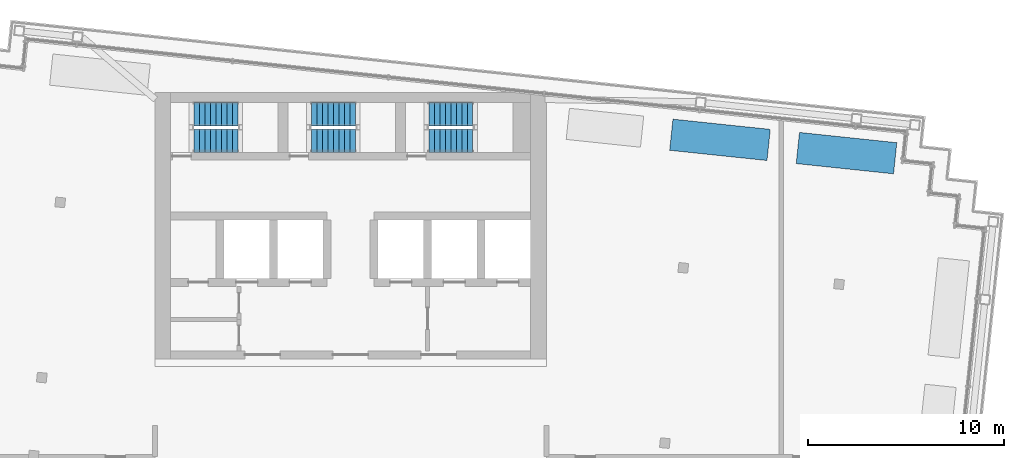
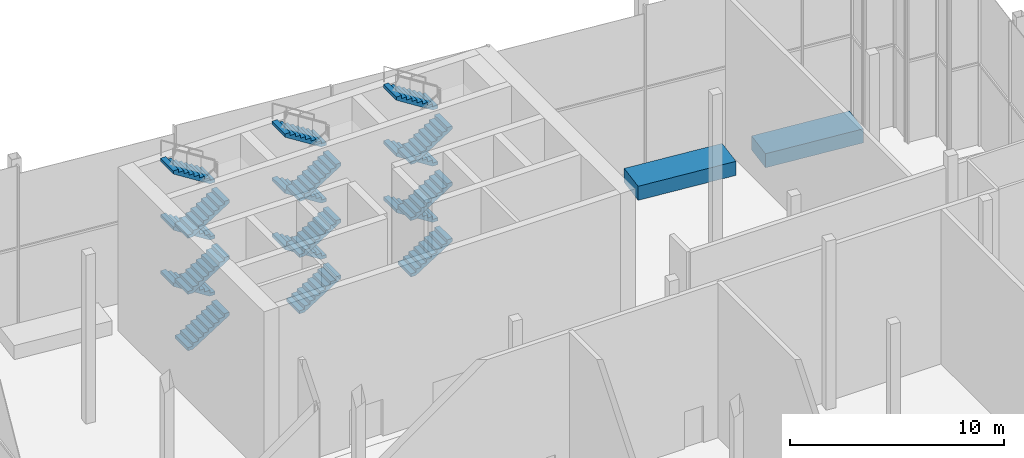
# One storey, part 10 of 14: 18 stair flights, 2 walls, 3 elements without a shape of their own.
"""IFC4 building model written with IfcOpenShell, lengths in metres."""

from ifc_helpers import new_model, si_unit, direction, frame, frame_2d, origin, place, context, subcontext, project, spatial, polyline, rectangle, outline, extrude, material, layer, layer_set, type_object, element, aggregate, save


model = new_model("IFC4")

# Units and contexts
model_context = context("Model", 3, precision=1e-05, world=origin(), true_north=direction((0.0, 1.0)))
body_context = subcontext(model_context, "Body", "Model", "MODEL_VIEW")
ifc_project = project(units=[si_unit("LENGTHUNIT", "METRE"), si_unit("AREAUNIT", "SQUARE_METRE"), si_unit("VOLUMEUNIT", "CUBIC_METRE"), si_unit("PLANEANGLEUNIT", "RADIAN"), si_unit("MASSUNIT", "GRAM", prefix="KILO")], contexts=[model_context])

# Site, building, storey
site_placement = place(None, origin())
site = spatial("IfcSite", under=ifc_project, at=site_placement, CompositionType="ELEMENT")
building_placement = place(site_placement, origin())
building = spatial("IfcBuilding", under=site, at=building_placement, Name="Vidyagriha Tower", CompositionType="ELEMENT")
storey_placement = place(building_placement, frame((0.0, 0.0, 281.89990234375)))
storey = spatial("IfcBuildingStorey", under=building, at=storey_placement, Name="L74", CompositionType="ELEMENT", Elevation=281.89990234375)

# Walls
ifc_material_1 = material(Name="Precast concrete C40/50 with brick facing", Category="concrete")
ifc_layer = layer(ifc_material_1, 1.60009765625)
ifc_layer_set = layer_set([ifc_layer], Name="Precast concrete C40/50 with brick facing")
wall_type = type_object("IfcWallType", Name="Brick planter box 1600", PredefinedType="STANDARD", material=ifc_layer_set)
for number, where, z_axis, x_axis, name in (
    (1, (27.818115234375, 16.64404296875, 0.0), (0.0, 0.0, 1.0), (-0.994520692635, 0.104539905878, 0.0), "PLANTER L74 1"),
    (2, (21.353759765625, 17.323486328125, 0.0), (0.0, 0.0, 1.0), (-0.994520692635, 0.104539905878, 0.0), "PLANTER L74 2"),
):
    element("IfcWall", number, at=place(storey_placement, frame(where, z_axis=z_axis, x_axis=x_axis)), inside=storey, type_object=wall_type, Name=name, PredefinedType="STANDARD", context=body_context, shape_type="SweptSolid", body=[
        extrude(rectangle(XDim=5.0, YDim=1.60009765625, at=frame_2d((2.5, 0.0))), origin(), (0.0, 0.0, 1.0), 0.800048828125),
    ])

# Stair, stair flights
ifc_material_2 = material(Name="Concrete C40/50", Category="concrete")
stair_type = type_object("IfcStairType", Name="Exit stair, half-turn, precast flights", PredefinedType="HALF_TURN_STAIR", material=ifc_material_2)
stair_1_placement = place(storey_placement, origin())
stair_1 = element("IfcStair", 3, at=stair_1_placement, inside=storey, type_object=stair_type, Name="L74 Exit Stair ST1", PredefinedType="HALF_TURN_STAIR")
ifc_material_3 = material(Name="Precast concrete C40/50", Category="concrete")
stair_flight_type = type_object("IfcStairFlightType", Name="Exit stair flight 1200 mm, precast", PredefinedType="STRAIGHT", material=ifc_material_3)
stair_flight_1_placement = place(storey_placement, frame((-8.0, 17.550048828125, 0.0)))
stair_flight_1 = element("IfcStairFlight", 4, at=stair_flight_1_placement, type_object=stair_flight_type, Name="ST1 flight 1", NumberOfRisers=9, NumberOfTreads=8, PredefinedType="STRAIGHT", RiserHeight=0.177777778, TreadLength=0.28, context=body_context, shape_type="SweptSolid", body=[
    extrude(outline(polyline([(0.0, 0.0), (0.0, 0.177734375), (0.280029296875, 0.177734375), (0.280029296875, 0.35546875), (0.56005859375, 0.35546875), (0.56005859375, 0.533447265625), (0.840087890625, 0.533447265625), (0.840087890625, 0.711181640625), (1.1201171875, 0.711181640625), (1.1201171875, 0.888916015625), (1.39990234375, 0.888916015625), (1.39990234375, 1.066650390625), (1.679931640625, 1.066650390625), (1.679931640625, 1.244384765625), (1.9599609375, 1.244384765625), (1.9599609375, 1.422119140625), (2.239990234375, 1.422119140625), (2.239990234375, 1.60009765625), (2.239990234375, 1.24462890625), (0.27978515625, 0.0), (0.0, 0.0)])), frame((0.0, 0.60009765625, 0.0), z_axis=(0.0, -1.0, 0.0), x_axis=(1.0, 0.0, 0.0)), (0.0, 0.0, 1.0), 1.199951171875),
])
stair_flight_2_placement = place(storey_placement, frame((-5.760009765625, 18.89990234375, 1.60009765625), z_axis=(0.0, 0.0, 1.0), x_axis=(-1.0, 0.0, 0.0)))
stair_flight_2 = element("IfcStairFlight", 5, at=stair_flight_2_placement, type_object=stair_flight_type, Name="ST1 flight 2", NumberOfRisers=9, NumberOfTreads=8, PredefinedType="STRAIGHT", RiserHeight=0.177777778, TreadLength=0.28, context=body_context, shape_type="SweptSolid", body=[
    extrude(outline(polyline([(0.0, 0.0), (0.0, 0.177734375), (0.280029296875, 0.177734375), (0.280029296875, 0.35546875), (0.56005859375, 0.35546875), (0.56005859375, 0.533447265625), (0.840087890625, 0.533447265625), (0.840087890625, 0.711181640625), (1.1201171875, 0.711181640625), (1.1201171875, 0.888916015625), (1.39990234375, 0.888916015625), (1.39990234375, 1.066650390625), (1.679931640625, 1.066650390625), (1.679931640625, 1.244384765625), (1.9599609375, 1.244384765625), (1.9599609375, 1.422119140625), (2.239990234375, 1.422119140625), (2.239990234375, 1.60009765625), (2.239990234375, 1.24462890625), (0.27978515625, 0.0), (0.0, 0.0)])), frame((0.0, 0.60009765625, 0.0), z_axis=(0.0, -1.0, 0.0), x_axis=(1.0, 0.0, 0.0)), (0.0, 0.0, 1.0), 1.199951171875),
])
stair_flight_3_placement = place(storey_placement, frame((-8.0, 17.550048828125, 3.2001953125)))
stair_flight_3 = element("IfcStairFlight", 6, at=stair_flight_3_placement, type_object=stair_flight_type, Name="ST1 flight 3", NumberOfRisers=9, NumberOfTreads=8, PredefinedType="STRAIGHT", RiserHeight=0.177777778, TreadLength=0.28, context=body_context, shape_type="SweptSolid", body=[
    extrude(outline(polyline([(0.0, 0.0), (0.0, 0.177734375), (0.280029296875, 0.177734375), (0.280029296875, 0.35546875), (0.56005859375, 0.35546875), (0.56005859375, 0.533447265625), (0.840087890625, 0.533447265625), (0.840087890625, 0.711181640625), (1.1201171875, 0.711181640625), (1.1201171875, 0.888916015625), (1.39990234375, 0.888916015625), (1.39990234375, 1.066650390625), (1.679931640625, 1.066650390625), (1.679931640625, 1.244384765625), (1.9599609375, 1.244384765625), (1.9599609375, 1.422119140625), (2.239990234375, 1.422119140625), (2.239990234375, 1.60009765625), (2.239990234375, 1.24462890625), (0.27978515625, 0.0), (0.0, 0.0)])), frame((0.0, 0.60009765625, 0.0), z_axis=(0.0, -1.0, 0.0), x_axis=(1.0, 0.0, 0.0)), (0.0, 0.0, 1.0), 1.199951171875),
])
stair_flight_4_placement = place(storey_placement, frame((-5.760009765625, 18.89990234375, 4.800048828125), z_axis=(0.0, 0.0, 1.0), x_axis=(-1.0, 0.0, 0.0)))
stair_flight_4 = element("IfcStairFlight", 7, at=stair_flight_4_placement, type_object=stair_flight_type, Name="ST1 flight 4", NumberOfRisers=9, NumberOfTreads=8, PredefinedType="STRAIGHT", RiserHeight=0.177777778, TreadLength=0.28, context=body_context, shape_type="SweptSolid", body=[
    extrude(outline(polyline([(0.0, 0.0), (0.0, 0.177734375), (0.280029296875, 0.177734375), (0.280029296875, 0.35546875), (0.56005859375, 0.35546875), (0.56005859375, 0.533447265625), (0.840087890625, 0.533447265625), (0.840087890625, 0.711181640625), (1.1201171875, 0.711181640625), (1.1201171875, 0.888916015625), (1.39990234375, 0.888916015625), (1.39990234375, 1.066650390625), (1.679931640625, 1.066650390625), (1.679931640625, 1.244384765625), (1.9599609375, 1.244384765625), (1.9599609375, 1.422119140625), (2.239990234375, 1.422119140625), (2.239990234375, 1.60009765625), (2.239990234375, 1.24462890625), (0.27978515625, 0.0), (0.0, 0.0)])), frame((0.0, 0.60009765625, 0.0), z_axis=(0.0, -1.0, 0.0), x_axis=(1.0, 0.0, 0.0)), (0.0, 0.0, 1.0), 1.199951171875),
])
stair_flight_5_placement = place(storey_placement, frame((-8.0, 17.550048828125, 6.400146484375)))
stair_flight_5 = element("IfcStairFlight", 8, at=stair_flight_5_placement, type_object=stair_flight_type, Name="ST1 flight 5", NumberOfRisers=9, NumberOfTreads=8, PredefinedType="STRAIGHT", RiserHeight=0.177777778, TreadLength=0.28, context=body_context, shape_type="SweptSolid", body=[
    extrude(outline(polyline([(0.0, 0.0), (0.0, 0.177734375), (0.280029296875, 0.177734375), (0.280029296875, 0.35546875), (0.56005859375, 0.35546875), (0.56005859375, 0.533447265625), (0.840087890625, 0.533447265625), (0.840087890625, 0.711181640625), (1.1201171875, 0.711181640625), (1.1201171875, 0.888916015625), (1.39990234375, 0.888916015625), (1.39990234375, 1.066650390625), (1.679931640625, 1.066650390625), (1.679931640625, 1.244384765625), (1.9599609375, 1.244384765625), (1.9599609375, 1.422119140625), (2.239990234375, 1.422119140625), (2.239990234375, 1.60009765625), (2.239990234375, 1.24462890625), (0.27978515625, 0.0), (0.0, 0.0)])), frame((0.0, 0.60009765625, 0.0), z_axis=(0.0, -1.0, 0.0), x_axis=(1.0, 0.0, 0.0)), (0.0, 0.0, 1.0), 1.199951171875),
])
stair_flight_6_placement = place(storey_placement, frame((-5.760009765625, 18.89990234375, 8.0), z_axis=(0.0, 0.0, 1.0), x_axis=(-1.0, 0.0, 0.0)))
stair_flight_6 = element("IfcStairFlight", 9, at=stair_flight_6_placement, type_object=stair_flight_type, Name="ST1 flight 6", NumberOfRisers=9, NumberOfTreads=8, PredefinedType="STRAIGHT", RiserHeight=0.177777778, TreadLength=0.28, context=body_context, shape_type="SweptSolid", body=[
    extrude(outline(polyline([(0.0, 0.0), (0.0, 0.177734375), (0.280029296875, 0.177734375), (0.280029296875, 0.35546875), (0.56005859375, 0.35546875), (0.56005859375, 0.533447265625), (0.840087890625, 0.533447265625), (0.840087890625, 0.711181640625), (1.1201171875, 0.711181640625), (1.1201171875, 0.888916015625), (1.39990234375, 0.888916015625), (1.39990234375, 1.066650390625), (1.679931640625, 1.066650390625), (1.679931640625, 1.244384765625), (1.9599609375, 1.244384765625), (1.9599609375, 1.422119140625), (2.239990234375, 1.422119140625), (2.239990234375, 1.60009765625), (2.239990234375, 1.24462890625), (0.27978515625, 0.0), (0.0, 0.0)])), frame((0.0, 0.60009765625, 0.0), z_axis=(0.0, -1.0, 0.0), x_axis=(1.0, 0.0, 0.0)), (0.0, 0.0, 1.0), 1.199951171875),
])
aggregate(stair_1, [stair_flight_1, stair_flight_2, stair_flight_3, stair_flight_4, stair_flight_5, stair_flight_6])

stair_2_placement = place(storey_placement, origin())
stair_2 = element("IfcStair", 10, at=stair_2_placement, inside=storey, type_object=stair_type, Name="L74 Exit Stair ST2", PredefinedType="HALF_TURN_STAIR")
stair_flight_7_placement = place(storey_placement, frame((-2.0, 17.550048828125, 0.0)))
stair_flight_7 = element("IfcStairFlight", 11, at=stair_flight_7_placement, type_object=stair_flight_type, Name="ST2 flight 1", NumberOfRisers=9, NumberOfTreads=8, PredefinedType="STRAIGHT", RiserHeight=0.177777778, TreadLength=0.28, context=body_context, shape_type="SweptSolid", body=[
    extrude(outline(polyline([(0.0, 0.0), (0.0, 0.177734375), (0.280029296875, 0.177734375), (0.280029296875, 0.35546875), (0.56005859375, 0.35546875), (0.56005859375, 0.533447265625), (0.840087890625, 0.533447265625), (0.840087890625, 0.711181640625), (1.1201171875, 0.711181640625), (1.1201171875, 0.888916015625), (1.39990234375, 0.888916015625), (1.39990234375, 1.066650390625), (1.679931640625, 1.066650390625), (1.679931640625, 1.244384765625), (1.9599609375, 1.244384765625), (1.9599609375, 1.422119140625), (2.239990234375, 1.422119140625), (2.239990234375, 1.60009765625), (2.239990234375, 1.24462890625), (0.27978515625, 0.0), (0.0, 0.0)])), frame((0.0, 0.60009765625, 0.0), z_axis=(0.0, -1.0, 0.0), x_axis=(1.0, 0.0, 0.0)), (0.0, 0.0, 1.0), 1.199951171875),
])
stair_flight_8_placement = place(storey_placement, frame((0.239990234375, 18.89990234375, 1.60009765625), z_axis=(0.0, 0.0, 1.0), x_axis=(-1.0, 0.0, 0.0)))
stair_flight_8 = element("IfcStairFlight", 12, at=stair_flight_8_placement, type_object=stair_flight_type, Name="ST2 flight 2", NumberOfRisers=9, NumberOfTreads=8, PredefinedType="STRAIGHT", RiserHeight=0.177777778, TreadLength=0.28, context=body_context, shape_type="SweptSolid", body=[
    extrude(outline(polyline([(0.0, 0.0), (0.0, 0.177734375), (0.280029296875, 0.177734375), (0.280029296875, 0.35546875), (0.56005859375, 0.35546875), (0.56005859375, 0.533447265625), (0.840087890625, 0.533447265625), (0.840087890625, 0.711181640625), (1.1201171875, 0.711181640625), (1.1201171875, 0.888916015625), (1.39990234375, 0.888916015625), (1.39990234375, 1.066650390625), (1.679931640625, 1.066650390625), (1.679931640625, 1.244384765625), (1.9599609375, 1.244384765625), (1.9599609375, 1.422119140625), (2.239990234375, 1.422119140625), (2.239990234375, 1.60009765625), (2.239990234375, 1.24462890625), (0.27978515625, 0.0), (0.0, 0.0)])), frame((0.0, 0.60009765625, 0.0), z_axis=(0.0, -1.0, 0.0), x_axis=(1.0, 0.0, 0.0)), (0.0, 0.0, 1.0), 1.199951171875),
])
stair_flight_9_placement = place(storey_placement, frame((-2.0, 17.550048828125, 3.2001953125)))
stair_flight_9 = element("IfcStairFlight", 13, at=stair_flight_9_placement, type_object=stair_flight_type, Name="ST2 flight 3", NumberOfRisers=9, NumberOfTreads=8, PredefinedType="STRAIGHT", RiserHeight=0.177777778, TreadLength=0.28, context=body_context, shape_type="SweptSolid", body=[
    extrude(outline(polyline([(0.0, 0.0), (0.0, 0.177734375), (0.280029296875, 0.177734375), (0.280029296875, 0.35546875), (0.56005859375, 0.35546875), (0.56005859375, 0.533447265625), (0.840087890625, 0.533447265625), (0.840087890625, 0.711181640625), (1.1201171875, 0.711181640625), (1.1201171875, 0.888916015625), (1.39990234375, 0.888916015625), (1.39990234375, 1.066650390625), (1.679931640625, 1.066650390625), (1.679931640625, 1.244384765625), (1.9599609375, 1.244384765625), (1.9599609375, 1.422119140625), (2.239990234375, 1.422119140625), (2.239990234375, 1.60009765625), (2.239990234375, 1.24462890625), (0.27978515625, 0.0), (0.0, 0.0)])), frame((0.0, 0.60009765625, 0.0), z_axis=(0.0, -1.0, 0.0), x_axis=(1.0, 0.0, 0.0)), (0.0, 0.0, 1.0), 1.199951171875),
])
stair_flight_10_placement = place(storey_placement, frame((0.239990234375, 18.89990234375, 4.800048828125), z_axis=(0.0, 0.0, 1.0), x_axis=(-1.0, 0.0, 0.0)))
stair_flight_10 = element("IfcStairFlight", 14, at=stair_flight_10_placement, type_object=stair_flight_type, Name="ST2 flight 4", NumberOfRisers=9, NumberOfTreads=8, PredefinedType="STRAIGHT", RiserHeight=0.177777778, TreadLength=0.28, context=body_context, shape_type="SweptSolid", body=[
    extrude(outline(polyline([(0.0, 0.0), (0.0, 0.177734375), (0.280029296875, 0.177734375), (0.280029296875, 0.35546875), (0.56005859375, 0.35546875), (0.56005859375, 0.533447265625), (0.840087890625, 0.533447265625), (0.840087890625, 0.711181640625), (1.1201171875, 0.711181640625), (1.1201171875, 0.888916015625), (1.39990234375, 0.888916015625), (1.39990234375, 1.066650390625), (1.679931640625, 1.066650390625), (1.679931640625, 1.244384765625), (1.9599609375, 1.244384765625), (1.9599609375, 1.422119140625), (2.239990234375, 1.422119140625), (2.239990234375, 1.60009765625), (2.239990234375, 1.24462890625), (0.27978515625, 0.0), (0.0, 0.0)])), frame((0.0, 0.60009765625, 0.0), z_axis=(0.0, -1.0, 0.0), x_axis=(1.0, 0.0, 0.0)), (0.0, 0.0, 1.0), 1.199951171875),
])
stair_flight_11_placement = place(storey_placement, frame((-2.0, 17.550048828125, 6.400146484375)))
stair_flight_11 = element("IfcStairFlight", 15, at=stair_flight_11_placement, type_object=stair_flight_type, Name="ST2 flight 5", NumberOfRisers=9, NumberOfTreads=8, PredefinedType="STRAIGHT", RiserHeight=0.177777778, TreadLength=0.28, context=body_context, shape_type="SweptSolid", body=[
    extrude(outline(polyline([(0.0, 0.0), (0.0, 0.177734375), (0.280029296875, 0.177734375), (0.280029296875, 0.35546875), (0.56005859375, 0.35546875), (0.56005859375, 0.533447265625), (0.840087890625, 0.533447265625), (0.840087890625, 0.711181640625), (1.1201171875, 0.711181640625), (1.1201171875, 0.888916015625), (1.39990234375, 0.888916015625), (1.39990234375, 1.066650390625), (1.679931640625, 1.066650390625), (1.679931640625, 1.244384765625), (1.9599609375, 1.244384765625), (1.9599609375, 1.422119140625), (2.239990234375, 1.422119140625), (2.239990234375, 1.60009765625), (2.239990234375, 1.24462890625), (0.27978515625, 0.0), (0.0, 0.0)])), frame((0.0, 0.60009765625, 0.0), z_axis=(0.0, -1.0, 0.0), x_axis=(1.0, 0.0, 0.0)), (0.0, 0.0, 1.0), 1.199951171875),
])
stair_flight_12_placement = place(storey_placement, frame((0.239990234375, 18.89990234375, 8.0), z_axis=(0.0, 0.0, 1.0), x_axis=(-1.0, 0.0, 0.0)))
stair_flight_12 = element("IfcStairFlight", 16, at=stair_flight_12_placement, type_object=stair_flight_type, Name="ST2 flight 6", NumberOfRisers=9, NumberOfTreads=8, PredefinedType="STRAIGHT", RiserHeight=0.177777778, TreadLength=0.28, context=body_context, shape_type="SweptSolid", body=[
    extrude(outline(polyline([(0.0, 0.0), (0.0, 0.177734375), (0.280029296875, 0.177734375), (0.280029296875, 0.35546875), (0.56005859375, 0.35546875), (0.56005859375, 0.533447265625), (0.840087890625, 0.533447265625), (0.840087890625, 0.711181640625), (1.1201171875, 0.711181640625), (1.1201171875, 0.888916015625), (1.39990234375, 0.888916015625), (1.39990234375, 1.066650390625), (1.679931640625, 1.066650390625), (1.679931640625, 1.244384765625), (1.9599609375, 1.244384765625), (1.9599609375, 1.422119140625), (2.239990234375, 1.422119140625), (2.239990234375, 1.60009765625), (2.239990234375, 1.24462890625), (0.27978515625, 0.0), (0.0, 0.0)])), frame((0.0, 0.60009765625, 0.0), z_axis=(0.0, -1.0, 0.0), x_axis=(1.0, 0.0, 0.0)), (0.0, 0.0, 1.0), 1.199951171875),
])
aggregate(stair_2, [stair_flight_7, stair_flight_8, stair_flight_9, stair_flight_10, stair_flight_11, stair_flight_12])

stair_3_placement = place(storey_placement, origin())
stair_3 = element("IfcStair", 17, at=stair_3_placement, inside=storey, type_object=stair_type, Name="L74 Exit Stair ST3", PredefinedType="HALF_TURN_STAIR")
stair_flight_13_placement = place(storey_placement, frame((4.0, 17.550048828125, 0.0)))
stair_flight_13 = element("IfcStairFlight", 18, at=stair_flight_13_placement, type_object=stair_flight_type, Name="ST3 flight 1", NumberOfRisers=9, NumberOfTreads=8, PredefinedType="STRAIGHT", RiserHeight=0.177777778, TreadLength=0.28, context=body_context, shape_type="SweptSolid", body=[
    extrude(outline(polyline([(0.0, 0.0), (0.0, 0.177734375), (0.280029296875, 0.177734375), (0.280029296875, 0.35546875), (0.56005859375, 0.35546875), (0.56005859375, 0.533447265625), (0.840087890625, 0.533447265625), (0.840087890625, 0.711181640625), (1.1201171875, 0.711181640625), (1.1201171875, 0.888916015625), (1.39990234375, 0.888916015625), (1.39990234375, 1.066650390625), (1.679931640625, 1.066650390625), (1.679931640625, 1.244384765625), (1.9599609375, 1.244384765625), (1.9599609375, 1.422119140625), (2.239990234375, 1.422119140625), (2.239990234375, 1.60009765625), (2.239990234375, 1.24462890625), (0.27978515625, 0.0), (0.0, 0.0)])), frame((0.0, 0.60009765625, 0.0), z_axis=(0.0, -1.0, 0.0), x_axis=(1.0, 0.0, 0.0)), (0.0, 0.0, 1.0), 1.199951171875),
])
stair_flight_14_placement = place(storey_placement, frame((6.239990234375, 18.89990234375, 1.60009765625), z_axis=(0.0, 0.0, 1.0), x_axis=(-1.0, 0.0, 0.0)))
stair_flight_14 = element("IfcStairFlight", 19, at=stair_flight_14_placement, type_object=stair_flight_type, Name="ST3 flight 2", NumberOfRisers=9, NumberOfTreads=8, PredefinedType="STRAIGHT", RiserHeight=0.177777778, TreadLength=0.28, context=body_context, shape_type="SweptSolid", body=[
    extrude(outline(polyline([(0.0, 0.0), (0.0, 0.177734375), (0.280029296875, 0.177734375), (0.280029296875, 0.35546875), (0.56005859375, 0.35546875), (0.56005859375, 0.533447265625), (0.840087890625, 0.533447265625), (0.840087890625, 0.711181640625), (1.1201171875, 0.711181640625), (1.1201171875, 0.888916015625), (1.39990234375, 0.888916015625), (1.39990234375, 1.066650390625), (1.679931640625, 1.066650390625), (1.679931640625, 1.244384765625), (1.9599609375, 1.244384765625), (1.9599609375, 1.422119140625), (2.239990234375, 1.422119140625), (2.239990234375, 1.60009765625), (2.239990234375, 1.24462890625), (0.27978515625, 0.0), (0.0, 0.0)])), frame((0.0, 0.60009765625, 0.0), z_axis=(0.0, -1.0, 0.0), x_axis=(1.0, 0.0, 0.0)), (0.0, 0.0, 1.0), 1.199951171875),
])
stair_flight_15_placement = place(storey_placement, frame((4.0, 17.550048828125, 3.2001953125)))
stair_flight_15 = element("IfcStairFlight", 20, at=stair_flight_15_placement, type_object=stair_flight_type, Name="ST3 flight 3", NumberOfRisers=9, NumberOfTreads=8, PredefinedType="STRAIGHT", RiserHeight=0.177777778, TreadLength=0.28, context=body_context, shape_type="SweptSolid", body=[
    extrude(outline(polyline([(0.0, 0.0), (0.0, 0.177734375), (0.280029296875, 0.177734375), (0.280029296875, 0.35546875), (0.56005859375, 0.35546875), (0.56005859375, 0.533447265625), (0.840087890625, 0.533447265625), (0.840087890625, 0.711181640625), (1.1201171875, 0.711181640625), (1.1201171875, 0.888916015625), (1.39990234375, 0.888916015625), (1.39990234375, 1.066650390625), (1.679931640625, 1.066650390625), (1.679931640625, 1.244384765625), (1.9599609375, 1.244384765625), (1.9599609375, 1.422119140625), (2.239990234375, 1.422119140625), (2.239990234375, 1.60009765625), (2.239990234375, 1.24462890625), (0.27978515625, 0.0), (0.0, 0.0)])), frame((0.0, 0.60009765625, 0.0), z_axis=(0.0, -1.0, 0.0), x_axis=(1.0, 0.0, 0.0)), (0.0, 0.0, 1.0), 1.199951171875),
])
stair_flight_16_placement = place(storey_placement, frame((6.239990234375, 18.89990234375, 4.800048828125), z_axis=(0.0, 0.0, 1.0), x_axis=(-1.0, 0.0, 0.0)))
stair_flight_16 = element("IfcStairFlight", 21, at=stair_flight_16_placement, type_object=stair_flight_type, Name="ST3 flight 4", NumberOfRisers=9, NumberOfTreads=8, PredefinedType="STRAIGHT", RiserHeight=0.177777778, TreadLength=0.28, context=body_context, shape_type="SweptSolid", body=[
    extrude(outline(polyline([(0.0, 0.0), (0.0, 0.177734375), (0.280029296875, 0.177734375), (0.280029296875, 0.35546875), (0.56005859375, 0.35546875), (0.56005859375, 0.533447265625), (0.840087890625, 0.533447265625), (0.840087890625, 0.711181640625), (1.1201171875, 0.711181640625), (1.1201171875, 0.888916015625), (1.39990234375, 0.888916015625), (1.39990234375, 1.066650390625), (1.679931640625, 1.066650390625), (1.679931640625, 1.244384765625), (1.9599609375, 1.244384765625), (1.9599609375, 1.422119140625), (2.239990234375, 1.422119140625), (2.239990234375, 1.60009765625), (2.239990234375, 1.24462890625), (0.27978515625, 0.0), (0.0, 0.0)])), frame((0.0, 0.60009765625, 0.0), z_axis=(0.0, -1.0, 0.0), x_axis=(1.0, 0.0, 0.0)), (0.0, 0.0, 1.0), 1.199951171875),
])
stair_flight_17_placement = place(storey_placement, frame((4.0, 17.550048828125, 6.400146484375)))
stair_flight_17 = element("IfcStairFlight", 22, at=stair_flight_17_placement, type_object=stair_flight_type, Name="ST3 flight 5", NumberOfRisers=9, NumberOfTreads=8, PredefinedType="STRAIGHT", RiserHeight=0.177777778, TreadLength=0.28, context=body_context, shape_type="SweptSolid", body=[
    extrude(outline(polyline([(0.0, 0.0), (0.0, 0.177734375), (0.280029296875, 0.177734375), (0.280029296875, 0.35546875), (0.56005859375, 0.35546875), (0.56005859375, 0.533447265625), (0.840087890625, 0.533447265625), (0.840087890625, 0.711181640625), (1.1201171875, 0.711181640625), (1.1201171875, 0.888916015625), (1.39990234375, 0.888916015625), (1.39990234375, 1.066650390625), (1.679931640625, 1.066650390625), (1.679931640625, 1.244384765625), (1.9599609375, 1.244384765625), (1.9599609375, 1.422119140625), (2.239990234375, 1.422119140625), (2.239990234375, 1.60009765625), (2.239990234375, 1.24462890625), (0.27978515625, 0.0), (0.0, 0.0)])), frame((0.0, 0.60009765625, 0.0), z_axis=(0.0, -1.0, 0.0), x_axis=(1.0, 0.0, 0.0)), (0.0, 0.0, 1.0), 1.199951171875),
])
stair_flight_18_placement = place(storey_placement, frame((6.239990234375, 18.89990234375, 8.0), z_axis=(0.0, 0.0, 1.0), x_axis=(-1.0, 0.0, 0.0)))
stair_flight_18 = element("IfcStairFlight", 23, at=stair_flight_18_placement, type_object=stair_flight_type, Name="ST3 flight 6", NumberOfRisers=9, NumberOfTreads=8, PredefinedType="STRAIGHT", RiserHeight=0.177777778, TreadLength=0.28, context=body_context, shape_type="SweptSolid", body=[
    extrude(outline(polyline([(0.0, 0.0), (0.0, 0.177734375), (0.280029296875, 0.177734375), (0.280029296875, 0.35546875), (0.56005859375, 0.35546875), (0.56005859375, 0.533447265625), (0.840087890625, 0.533447265625), (0.840087890625, 0.711181640625), (1.1201171875, 0.711181640625), (1.1201171875, 0.888916015625), (1.39990234375, 0.888916015625), (1.39990234375, 1.066650390625), (1.679931640625, 1.066650390625), (1.679931640625, 1.244384765625), (1.9599609375, 1.244384765625), (1.9599609375, 1.422119140625), (2.239990234375, 1.422119140625), (2.239990234375, 1.60009765625), (2.239990234375, 1.24462890625), (0.27978515625, 0.0), (0.0, 0.0)])), frame((0.0, 0.60009765625, 0.0), z_axis=(0.0, -1.0, 0.0), x_axis=(1.0, 0.0, 0.0)), (0.0, 0.0, 1.0), 1.199951171875),
])
aggregate(stair_3, [stair_flight_13, stair_flight_14, stair_flight_15, stair_flight_16, stair_flight_17, stair_flight_18])

save(model, "model.ifc")
